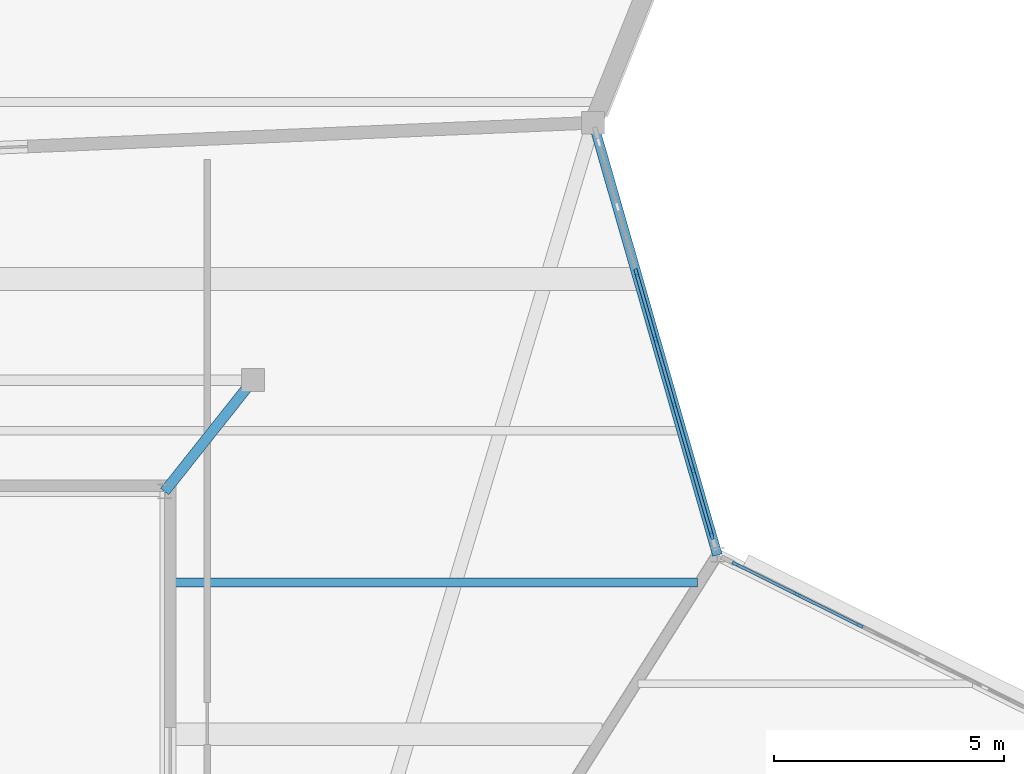
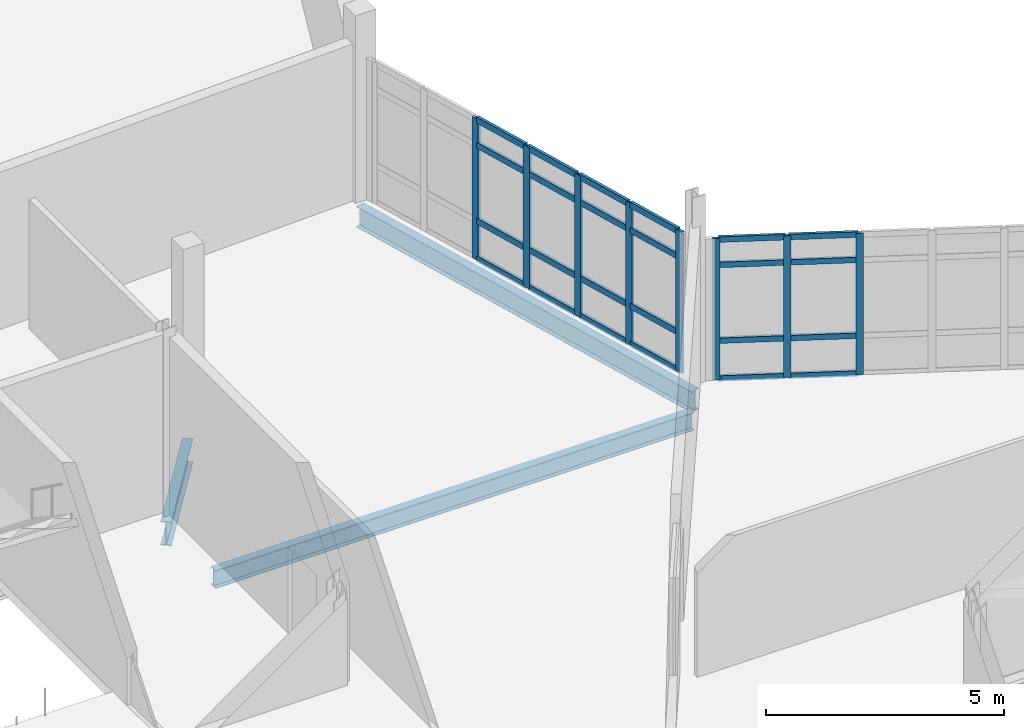
# One storey, part 55 of 134: 32 members, 3 beams, 2 elements without a shape of their own.
"""IFC4 building model written with IfcOpenShell, lengths in metres."""

from ifc_helpers import new_model, si_unit, direction, frame, origin, origin_2d, place, context, subcontext, project, spatial, rectangle, i_section, extrude, material, material_profile, profile_set, type_object, element, aggregate, save


model = new_model("IFC4")

# Units and contexts
model_context = context("Model", 3, precision=1e-05, world=origin(), true_north=direction((0.0, 1.0)))
body_context = subcontext(model_context, "Body", "Model", "MODEL_VIEW")
ifc_project = project(units=[si_unit("LENGTHUNIT", "METRE"), si_unit("AREAUNIT", "SQUARE_METRE"), si_unit("VOLUMEUNIT", "CUBIC_METRE"), si_unit("PLANEANGLEUNIT", "RADIAN"), si_unit("MASSUNIT", "GRAM", prefix="KILO")], contexts=[model_context])

# Site, building, storey
site_placement = place(None, origin())
site = spatial("IfcSite", under=ifc_project, at=site_placement, CompositionType="ELEMENT")
building_placement = place(site_placement, origin())
building = spatial("IfcBuilding", under=site, at=building_placement, Name="Tameran Prism Museum", CompositionType="ELEMENT")
storey_placement = place(building_placement, frame((0.0, 0.0, 5.39990234375)))
storey = spatial("IfcBuildingStorey", under=building, at=storey_placement, Name="L01", CompositionType="ELEMENT", Elevation=5.39990234375)

# Beams
ifc_material_1 = material(Name="Steel Grade 300PLUS (300 MPa)", Category="steel")
ifc_material_profile_1 = material_profile(ifc_material_1, i_section(OverallWidth=0.19091796875, OverallDepth=0.4599609375, WebThickness=0.010009765625, FlangeThickness=0.01611328125, FilletRadius=0.011474609375, at=origin_2d()))
ifc_profile_set_1 = profile_set([ifc_material_profile_1])
beam_type_1 = type_object("IfcBeamType", Name="BM-J460A", PredefinedType="JOIST", material=ifc_profile_set_1)
beam_1_placement = place(storey_placement, frame((48.47998046875, 72.60009765625, -0.489990234375), z_axis=(1.0, 0.0, 0.0), x_axis=(0.0, 1.0, 0.0)))
element("IfcBeam", 1, at=beam_1_placement, inside=storey, type_object=beam_type_1, Name="Floor Beam BM-0619", PredefinedType="JOIST", context=body_context, shape_type="SweptSolid", body=[
    extrude(i_section(OverallWidth=0.19091796875, OverallDepth=0.4599609375, WebThickness=0.010009765625, FlangeThickness=0.01611328125, FilletRadius=0.011474609375, at=origin_2d()), origin(), (0.0, 0.0, 1.0), 11.593017578125),
])
ifc_material_2 = material(Name="Steel Grade 300PLUS (300 MPa)", Category="steel")
ifc_material_profile_2 = material_profile(ifc_material_2, i_section(OverallWidth=0.208984375, OverallDepth=0.532958984375, WebThickness=0.01025390625, FlangeThickness=0.015625, FilletRadius=0.013916015625, at=origin_2d()))
ifc_profile_set_2 = profile_set([ifc_material_profile_2])
beam_type_2 = type_object("IfcBeamType", Name="BM-SP530A", PredefinedType="SPANDREL", material=ifc_profile_set_2)
beam_2_placement = place(storey_placement, frame((60.5, 73.199951171875, -0.5263671875), z_axis=(-0.276062724343, 0.96113962161, 0.0), x_axis=(-0.96113962161, -0.276062724343, 0.0)))
element("IfcBeam", 2, at=beam_2_placement, inside=storey, type_object=beam_type_2, Name="Perimeter Spandrel SP-0410", PredefinedType="SPANDREL", context=body_context, shape_type="SweptSolid", body=[
    extrude(i_section(OverallWidth=0.208984375, OverallDepth=0.532958984375, WebThickness=0.01025390625, FlangeThickness=0.015625, FilletRadius=0.013916015625, at=origin_2d()), origin(), (0.0, 0.0, 1.0), 9.7802734375),
])
ifc_material_3 = material(Name="Steel Grade 300PLUS (300 MPa)", Category="steel")
ifc_material_profile_3 = material_profile(ifc_material_3, i_section(OverallWidth=0.22900390625, OverallDepth=0.612060546875, WebThickness=0.011962890625, FlangeThickness=0.01953125, FilletRadius=0.013916015625, at=origin_2d()))
ifc_profile_set_3 = profile_set([ifc_material_profile_3])
beam_type_3 = type_object("IfcBeamType", Name="BM-UB610A", PredefinedType="BEAM", material=ifc_profile_set_3)
beam_3_placement = place(storey_placement, frame((50.39990234375, 77.0, -0.56591796875), z_axis=(-0.621528541647, -0.783391518922, 0.0), x_axis=(0.783391518922, -0.621528541647, 0.0)))
element("IfcBeam", 3, at=beam_3_placement, inside=storey, type_object=beam_type_3, Name="Frame Tie Girder FG-1325", PredefinedType="BEAM", context=body_context, shape_type="SweptSolid", body=[
    extrude(i_section(OverallWidth=0.22900390625, OverallDepth=0.612060546875, WebThickness=0.011962890625, FlangeThickness=0.01953125, FilletRadius=0.013916015625, at=origin_2d()), origin(), (0.0, 0.0, 1.0), 3.089111328125),
])

# Curtain wall, members
ifc_material_4 = material(Name="Anodised Aluminium 6063-T6 and Cyclone Solar Glass", Category="aluminium")
curtain_wall_type_1 = type_object("IfcCurtainWallType", Name="CW-FAC-1520x362", PredefinedType="USERDEFINED", material=ifc_material_4)
curtain_wall_1_placement = place(storey_placement, origin())
curtain_wall_1 = element("IfcCurtainWall", 4, at=curtain_wall_1_placement, inside=storey, type_object=curtain_wall_type_1, Name="Unitised Curtain Wall CW-071", ObjectType="UNITISED CURTAIN WALL", PredefinedType="USERDEFINED")
ifc_material_5 = material(Name="Anodised Aluminium Alloy 6063-T6", Category="aluminium")
ifc_material_profile_4 = material_profile(ifc_material_5, rectangle(XDim=0.06494140625, YDim=0.159912109375, at=origin_2d()))
ifc_profile_set_4 = profile_set([ifc_material_profile_4])
member_type_1 = type_object("IfcMemberType", Name="CW-MUL-A", PredefinedType="MULLION", material=ifc_profile_set_4)
member_1_placement = place(storey_placement, frame((60.89599609375, 73.00244140625, 0.0), z_axis=(0.0, 0.0, 1.0), x_axis=(0.444633769593, 0.895712459966, 0.0)))
member_1 = element("IfcMember", 5, at=member_1_placement, type_object=member_type_1, Name="CW-071 mullion 1", PredefinedType="MULLION", context=body_context, shape_type="SweptSolid", body=[
    extrude(rectangle(XDim=0.06494140625, YDim=0.159912109375, at=origin_2d()), origin(), (0.0, 0.0, 1.0), 3.6201171875),
])
member_2_placement = place(storey_placement, frame((62.22900390625, 72.3408203125, 0.0), z_axis=(0.0, 0.0, 1.0), x_axis=(0.444633769593, 0.895712459966, 0.0)))
member_2 = element("IfcMember", 6, at=member_2_placement, type_object=member_type_1, Name="CW-071 mullion 2", PredefinedType="MULLION", context=body_context, shape_type="SweptSolid", body=[
    extrude(rectangle(XDim=0.06494140625, YDim=0.159912109375, at=origin_2d()), origin(), (0.0, 0.0, 1.0), 3.6201171875),
])
member_3_placement = place(storey_placement, frame((63.591064453125, 71.664794921875, 0.0), z_axis=(0.0, 0.0, 1.0), x_axis=(0.444633769593, 0.895712459966, 0.0)))
member_3 = element("IfcMember", 7, at=member_3_placement, type_object=member_type_1, Name="CW-071 mullion 3", PredefinedType="MULLION", context=body_context, shape_type="SweptSolid", body=[
    extrude(rectangle(XDim=0.06494140625, YDim=0.159912109375, at=origin_2d()), origin(), (0.0, 0.0, 1.0), 3.6201171875),
])

ifc_material_6 = material(Name="Anodised Aluminium 6063-T6 and Cyclone Solar Glass", Category="aluminium")
curtain_wall_type_2 = type_object("IfcCurtainWallType", Name="CW-FAC-896x362", PredefinedType="USERDEFINED", material=ifc_material_6)
curtain_wall_2_placement = place(storey_placement, origin())
curtain_wall_2 = element("IfcCurtainWall", 8, at=curtain_wall_2_placement, inside=storey, type_object=curtain_wall_type_2, Name="Unitised Curtain Wall CW-092", ObjectType="UNITISED CURTAIN WALL", PredefinedType="USERDEFINED")
ifc_material_7 = material(Name="Anodised Aluminium Alloy 6063-T6", Category="aluminium")
ifc_material_profile_5 = material_profile(ifc_material_7, rectangle(XDim=0.070068359375, YDim=0.179931640625, at=origin_2d()))
ifc_profile_set_5 = profile_set([ifc_material_profile_5])
member_type_2 = type_object("IfcMemberType", Name="CW-MUL-B", PredefinedType="MULLION", material=ifc_profile_set_5)
member_4_placement = place(storey_placement, frame((58.738037109375, 79.33544921875, 0.0), z_axis=(0.0, 0.0, 1.0), x_axis=(0.961186288279, 0.275900197941, 0.0)))
member_4 = element("IfcMember", 9, at=member_4_placement, type_object=member_type_2, Name="CW-092 mullion 3", PredefinedType="MULLION", context=body_context, shape_type="SweptSolid", body=[
    extrude(rectangle(XDim=0.070068359375, YDim=0.179931640625, at=origin_2d()), origin(), (0.0, 0.0, 1.0), 3.6201171875),
])
member_5_placement = place(storey_placement, frame((59.14990234375, 77.89990234375, 0.0), z_axis=(0.0, 0.0, 1.0), x_axis=(0.961186288279, 0.275900197941, 0.0)))
member_5 = element("IfcMember", 10, at=member_5_placement, type_object=member_type_2, Name="CW-092 mullion 4", PredefinedType="MULLION", context=body_context, shape_type="SweptSolid", body=[
    extrude(rectangle(XDim=0.070068359375, YDim=0.179931640625, at=origin_2d()), origin(), (0.0, 0.0, 1.0), 3.6201171875),
])
member_6_placement = place(storey_placement, frame((59.56201171875, 76.464599609375, 0.0), z_axis=(0.0, 0.0, 1.0), x_axis=(0.961186288279, 0.275900197941, 0.0)))
member_6 = element("IfcMember", 11, at=member_6_placement, type_object=member_type_2, Name="CW-092 mullion 5", PredefinedType="MULLION", context=body_context, shape_type="SweptSolid", body=[
    extrude(rectangle(XDim=0.070068359375, YDim=0.179931640625, at=origin_2d()), origin(), (0.0, 0.0, 1.0), 3.6201171875),
])
member_7_placement = place(storey_placement, frame((59.97412109375, 75.029296875, 0.0), z_axis=(0.0, 0.0, 1.0), x_axis=(0.961186288279, 0.275900197941, 0.0)))
member_7 = element("IfcMember", 12, at=member_7_placement, type_object=member_type_2, Name="CW-092 mullion 6", PredefinedType="MULLION", context=body_context, shape_type="SweptSolid", body=[
    extrude(rectangle(XDim=0.070068359375, YDim=0.179931640625, at=origin_2d()), origin(), (0.0, 0.0, 1.0), 3.6201171875),
])
member_8_placement = place(storey_placement, frame((60.37646484375, 73.627685546875, 0.0), z_axis=(0.0, 0.0, 1.0), x_axis=(0.961186288279, 0.275900197941, 0.0)))
member_8 = element("IfcMember", 13, at=member_8_placement, type_object=member_type_2, Name="CW-092 mullion 7", PredefinedType="MULLION", context=body_context, shape_type="SweptSolid", body=[
    extrude(rectangle(XDim=0.070068359375, YDim=0.179931640625, at=origin_2d()), origin(), (0.0, 0.0, 1.0), 3.6201171875),
])

# Member
ifc_material_8 = material(Name="Anodised Aluminium Alloy 6063-T6", Category="aluminium")
ifc_material_profile_6 = material_profile(ifc_material_8, rectangle(XDim=0.06494140625, YDim=0.139892578125, at=origin_2d()))
ifc_profile_set_6 = profile_set([ifc_material_profile_6])
member_type_3 = type_object("IfcMemberType", Name="CW-TRN-A", PredefinedType="USERDEFINED", material=ifc_profile_set_6)
member_9_placement = place(storey_placement, frame((60.92529296875, 72.988037109375, 0.03271484375), z_axis=(0.895761424176, -0.444535117801, 0.0), x_axis=(0.444535117801, 0.895761424176, 0.0)))
member_9 = element("IfcMember", 14, at=member_9_placement, type_object=member_type_3, Name="CW-071 transom 1.1", ObjectType="TRANSOM", PredefinedType="USERDEFINED", context=body_context, shape_type="SweptSolid", body=[
    extrude(rectangle(XDim=0.06494140625, YDim=0.139892578125, at=origin_2d()), origin(), (0.0, 0.0, 1.0), 1.423095703125),
])

member_10_placement = place(storey_placement, frame((60.92529296875, 72.988037109375, 1.0), z_axis=(0.895761424176, -0.444535117801, 0.0), x_axis=(0.444535117801, 0.895761424176, 0.0)))
member_10 = element("IfcMember", 15, at=member_10_placement, type_object=member_type_3, Name="CW-071 transom 1.2", ObjectType="TRANSOM", PredefinedType="USERDEFINED", context=body_context, shape_type="SweptSolid", body=[
    extrude(rectangle(XDim=0.06494140625, YDim=0.139892578125, at=origin_2d()), origin(), (0.0, 0.0, 1.0), 1.423095703125),
])

member_11_placement = place(storey_placement, frame((60.92529296875, 72.988037109375, 2.940185546875), z_axis=(0.895761424176, -0.444535117801, 0.0), x_axis=(0.444535117801, 0.895761424176, 0.0)))
member_11 = element("IfcMember", 16, at=member_11_placement, type_object=member_type_3, Name="CW-071 transom 1.3", ObjectType="TRANSOM", PredefinedType="USERDEFINED", context=body_context, shape_type="SweptSolid", body=[
    extrude(rectangle(XDim=0.06494140625, YDim=0.139892578125, at=origin_2d()), origin(), (0.0, 0.0, 1.0), 1.423095703125),
])

member_12_placement = place(storey_placement, frame((60.92529296875, 72.988037109375, 3.587646484375), z_axis=(0.895761424176, -0.444535117801, 0.0), x_axis=(0.444535117801, 0.895761424176, 0.0)))
member_12 = element("IfcMember", 17, at=member_12_placement, type_object=member_type_3, Name="CW-071 transom 1.4", ObjectType="TRANSOM", PredefinedType="USERDEFINED", context=body_context, shape_type="SweptSolid", body=[
    extrude(rectangle(XDim=0.06494140625, YDim=0.139892578125, at=origin_2d()), origin(), (0.0, 0.0, 1.0), 1.423095703125),
])

member_13_placement = place(storey_placement, frame((62.258056640625, 72.326416015625, 0.03271484375), z_axis=(0.895698333913, -0.444662225319, 0.0), x_axis=(0.444662225319, 0.895698333913, 0.0)))
member_13 = element("IfcMember", 18, at=member_13_placement, type_object=member_type_3, Name="CW-071 transom 2.1", ObjectType="TRANSOM", PredefinedType="USERDEFINED", context=body_context, shape_type="SweptSolid", body=[
    extrude(rectangle(XDim=0.06494140625, YDim=0.139892578125, at=origin_2d()), origin(), (0.0, 0.0, 1.0), 1.45556640625),
])

member_14_placement = place(storey_placement, frame((62.258056640625, 72.326416015625, 1.0), z_axis=(0.895698333913, -0.444662225319, 0.0), x_axis=(0.444662225319, 0.895698333913, 0.0)))
member_14 = element("IfcMember", 19, at=member_14_placement, type_object=member_type_3, Name="CW-071 transom 2.2", ObjectType="TRANSOM", PredefinedType="USERDEFINED", context=body_context, shape_type="SweptSolid", body=[
    extrude(rectangle(XDim=0.06494140625, YDim=0.139892578125, at=origin_2d()), origin(), (0.0, 0.0, 1.0), 1.45556640625),
])

member_15_placement = place(storey_placement, frame((62.258056640625, 72.326416015625, 2.940185546875), z_axis=(0.895698333913, -0.444662225319, 0.0), x_axis=(0.444662225319, 0.895698333913, 0.0)))
member_15 = element("IfcMember", 20, at=member_15_placement, type_object=member_type_3, Name="CW-071 transom 2.3", ObjectType="TRANSOM", PredefinedType="USERDEFINED", context=body_context, shape_type="SweptSolid", body=[
    extrude(rectangle(XDim=0.06494140625, YDim=0.139892578125, at=origin_2d()), origin(), (0.0, 0.0, 1.0), 1.45556640625),
])

member_16_placement = place(storey_placement, frame((62.258056640625, 72.326416015625, 3.587646484375), z_axis=(0.895698333913, -0.444662225319, 0.0), x_axis=(0.444662225319, 0.895698333913, 0.0)))
member_16 = element("IfcMember", 21, at=member_16_placement, type_object=member_type_3, Name="CW-071 transom 2.4", ObjectType="TRANSOM", PredefinedType="USERDEFINED", context=body_context, shape_type="SweptSolid", body=[
    extrude(rectangle(XDim=0.06494140625, YDim=0.139892578125, at=origin_2d()), origin(), (0.0, 0.0, 1.0), 1.45556640625),
])

aggregate(curtain_wall_1, [member_1, member_2, member_3, member_9, member_10, member_11, member_12, member_13, member_14, member_15, member_16])

ifc_material_9 = material(Name="Anodised Aluminium Alloy 6063-T6", Category="aluminium")
ifc_material_profile_7 = material_profile(ifc_material_9, rectangle(XDim=0.070068359375, YDim=0.155029296875, at=origin_2d()))
ifc_profile_set_7 = profile_set([ifc_material_profile_7])
member_type_4 = type_object("IfcMemberType", Name="CW-TRN-B", PredefinedType="USERDEFINED", material=ifc_profile_set_7)
member_17_placement = place(storey_placement, frame((58.74755859375, 79.3017578125, 0.03515625), z_axis=(0.275966804368, -0.961167166984, 0.0), x_axis=(0.961167166984, 0.275966804368, 0.0)))
member_17 = element("IfcMember", 22, at=member_17_placement, type_object=member_type_4, Name="CW-092 transom 3.1", ObjectType="TRANSOM", PredefinedType="USERDEFINED", context=body_context, shape_type="SweptSolid", body=[
    extrude(rectangle(XDim=0.070068359375, YDim=0.155029296875, at=origin_2d()), origin(), (0.0, 0.0, 1.0), 1.42333984375),
])

member_18_placement = place(storey_placement, frame((58.74755859375, 79.3017578125, 1.0), z_axis=(0.275966804368, -0.961167166984, 0.0), x_axis=(0.961167166984, 0.275966804368, 0.0)))
member_18 = element("IfcMember", 23, at=member_18_placement, type_object=member_type_4, Name="CW-092 transom 3.2", ObjectType="TRANSOM", PredefinedType="USERDEFINED", context=body_context, shape_type="SweptSolid", body=[
    extrude(rectangle(XDim=0.070068359375, YDim=0.155029296875, at=origin_2d()), origin(), (0.0, 0.0, 1.0), 1.42333984375),
])

member_19_placement = place(storey_placement, frame((58.74755859375, 79.3017578125, 2.940185546875), z_axis=(0.275966804368, -0.961167166984, 0.0), x_axis=(0.961167166984, 0.275966804368, 0.0)))
member_19 = element("IfcMember", 24, at=member_19_placement, type_object=member_type_4, Name="CW-092 transom 3.3", ObjectType="TRANSOM", PredefinedType="USERDEFINED", context=body_context, shape_type="SweptSolid", body=[
    extrude(rectangle(XDim=0.070068359375, YDim=0.155029296875, at=origin_2d()), origin(), (0.0, 0.0, 1.0), 1.42333984375),
])

member_20_placement = place(storey_placement, frame((58.74755859375, 79.3017578125, 3.585205078125), z_axis=(0.275966804368, -0.961167166984, 0.0), x_axis=(0.961167166984, 0.275966804368, 0.0)))
member_20 = element("IfcMember", 25, at=member_20_placement, type_object=member_type_4, Name="CW-092 transom 3.4", ObjectType="TRANSOM", PredefinedType="USERDEFINED", context=body_context, shape_type="SweptSolid", body=[
    extrude(rectangle(XDim=0.070068359375, YDim=0.155029296875, at=origin_2d()), origin(), (0.0, 0.0, 1.0), 1.42333984375),
])

member_21_placement = place(storey_placement, frame((59.15966796875, 77.866455078125, 0.03515625), z_axis=(0.27580834078, -0.961212650331, 0.0), x_axis=(0.961212650331, 0.27580834078, 0.0)))
member_21 = element("IfcMember", 26, at=member_21_placement, type_object=member_type_4, Name="CW-092 transom 4.1", ObjectType="TRANSOM", PredefinedType="USERDEFINED", context=body_context, shape_type="SweptSolid", body=[
    extrude(rectangle(XDim=0.070068359375, YDim=0.155029296875, at=origin_2d()), origin(), (0.0, 0.0, 1.0), 1.42333984375),
])

member_22_placement = place(storey_placement, frame((59.15966796875, 77.866455078125, 1.0), z_axis=(0.27580834078, -0.961212650331, 0.0), x_axis=(0.961212650331, 0.27580834078, 0.0)))
member_22 = element("IfcMember", 27, at=member_22_placement, type_object=member_type_4, Name="CW-092 transom 4.2", ObjectType="TRANSOM", PredefinedType="USERDEFINED", context=body_context, shape_type="SweptSolid", body=[
    extrude(rectangle(XDim=0.070068359375, YDim=0.155029296875, at=origin_2d()), origin(), (0.0, 0.0, 1.0), 1.42333984375),
])

member_23_placement = place(storey_placement, frame((59.15966796875, 77.866455078125, 2.940185546875), z_axis=(0.27580834078, -0.961212650331, 0.0), x_axis=(0.961212650331, 0.27580834078, 0.0)))
member_23 = element("IfcMember", 28, at=member_23_placement, type_object=member_type_4, Name="CW-092 transom 4.3", ObjectType="TRANSOM", PredefinedType="USERDEFINED", context=body_context, shape_type="SweptSolid", body=[
    extrude(rectangle(XDim=0.070068359375, YDim=0.155029296875, at=origin_2d()), origin(), (0.0, 0.0, 1.0), 1.42333984375),
])

member_24_placement = place(storey_placement, frame((59.15966796875, 77.866455078125, 3.585205078125), z_axis=(0.27580834078, -0.961212650331, 0.0), x_axis=(0.961212650331, 0.27580834078, 0.0)))
member_24 = element("IfcMember", 29, at=member_24_placement, type_object=member_type_4, Name="CW-092 transom 4.4", ObjectType="TRANSOM", PredefinedType="USERDEFINED", context=body_context, shape_type="SweptSolid", body=[
    extrude(rectangle(XDim=0.070068359375, YDim=0.155029296875, at=origin_2d()), origin(), (0.0, 0.0, 1.0), 1.42333984375),
])

member_25_placement = place(storey_placement, frame((59.57177734375, 76.430908203125, 0.03515625), z_axis=(0.275853820406, -0.961199599338, 0.0), x_axis=(0.961199599338, 0.275853820406, 0.0)))
member_25 = element("IfcMember", 30, at=member_25_placement, type_object=member_type_4, Name="CW-092 transom 5.1", ObjectType="TRANSOM", PredefinedType="USERDEFINED", context=body_context, shape_type="SweptSolid", body=[
    extrude(rectangle(XDim=0.070068359375, YDim=0.155029296875, at=origin_2d()), origin(), (0.0, 0.0, 1.0), 1.423095703125),
])

member_26_placement = place(storey_placement, frame((59.57177734375, 76.430908203125, 1.0), z_axis=(0.275853820406, -0.961199599338, 0.0), x_axis=(0.961199599338, 0.275853820406, 0.0)))
member_26 = element("IfcMember", 31, at=member_26_placement, type_object=member_type_4, Name="CW-092 transom 5.2", ObjectType="TRANSOM", PredefinedType="USERDEFINED", context=body_context, shape_type="SweptSolid", body=[
    extrude(rectangle(XDim=0.070068359375, YDim=0.155029296875, at=origin_2d()), origin(), (0.0, 0.0, 1.0), 1.423095703125),
])

member_27_placement = place(storey_placement, frame((59.57177734375, 76.430908203125, 2.940185546875), z_axis=(0.275853820406, -0.961199599338, 0.0), x_axis=(0.961199599338, 0.275853820406, 0.0)))
member_27 = element("IfcMember", 32, at=member_27_placement, type_object=member_type_4, Name="CW-092 transom 5.3", ObjectType="TRANSOM", PredefinedType="USERDEFINED", context=body_context, shape_type="SweptSolid", body=[
    extrude(rectangle(XDim=0.070068359375, YDim=0.155029296875, at=origin_2d()), origin(), (0.0, 0.0, 1.0), 1.423095703125),
])

member_28_placement = place(storey_placement, frame((59.57177734375, 76.430908203125, 3.585205078125), z_axis=(0.275853820406, -0.961199599338, 0.0), x_axis=(0.961199599338, 0.275853820406, 0.0)))
member_28 = element("IfcMember", 33, at=member_28_placement, type_object=member_type_4, Name="CW-092 transom 5.4", ObjectType="TRANSOM", PredefinedType="USERDEFINED", context=body_context, shape_type="SweptSolid", body=[
    extrude(rectangle(XDim=0.070068359375, YDim=0.155029296875, at=origin_2d()), origin(), (0.0, 0.0, 1.0), 1.423095703125),
])

member_29_placement = place(storey_placement, frame((59.983642578125, 74.99560546875, 0.03515625), z_axis=(0.275952046312, -0.96117140414, 0.0), x_axis=(0.96117140414, 0.275952046312, 0.0)))
member_29 = element("IfcMember", 34, at=member_29_placement, type_object=member_type_4, Name="CW-092 transom 6.1", ObjectType="TRANSOM", PredefinedType="USERDEFINED", context=body_context, shape_type="SweptSolid", body=[
    extrude(rectangle(XDim=0.070068359375, YDim=0.155029296875, at=origin_2d()), origin(), (0.0, 0.0, 1.0), 1.38818359375),
])

member_30_placement = place(storey_placement, frame((59.983642578125, 74.99560546875, 1.0), z_axis=(0.275952046312, -0.96117140414, 0.0), x_axis=(0.96117140414, 0.275952046312, 0.0)))
member_30 = element("IfcMember", 35, at=member_30_placement, type_object=member_type_4, Name="CW-092 transom 6.2", ObjectType="TRANSOM", PredefinedType="USERDEFINED", context=body_context, shape_type="SweptSolid", body=[
    extrude(rectangle(XDim=0.070068359375, YDim=0.155029296875, at=origin_2d()), origin(), (0.0, 0.0, 1.0), 1.38818359375),
])

member_31_placement = place(storey_placement, frame((59.983642578125, 74.99560546875, 2.940185546875), z_axis=(0.275952046312, -0.96117140414, 0.0), x_axis=(0.96117140414, 0.275952046312, 0.0)))
member_31 = element("IfcMember", 36, at=member_31_placement, type_object=member_type_4, Name="CW-092 transom 6.3", ObjectType="TRANSOM", PredefinedType="USERDEFINED", context=body_context, shape_type="SweptSolid", body=[
    extrude(rectangle(XDim=0.070068359375, YDim=0.155029296875, at=origin_2d()), origin(), (0.0, 0.0, 1.0), 1.38818359375),
])

member_32_placement = place(storey_placement, frame((59.983642578125, 74.99560546875, 3.585205078125), z_axis=(0.275952046312, -0.96117140414, 0.0), x_axis=(0.96117140414, 0.275952046312, 0.0)))
member_32 = element("IfcMember", 37, at=member_32_placement, type_object=member_type_4, Name="CW-092 transom 6.4", ObjectType="TRANSOM", PredefinedType="USERDEFINED", context=body_context, shape_type="SweptSolid", body=[
    extrude(rectangle(XDim=0.070068359375, YDim=0.155029296875, at=origin_2d()), origin(), (0.0, 0.0, 1.0), 1.38818359375),
])

aggregate(curtain_wall_2, [member_4, member_5, member_6, member_7, member_8, member_17, member_18, member_19, member_20, member_21, member_22, member_23, member_24, member_25, member_26, member_27, member_28, member_29, member_30, member_31, member_32])

save(model, "model.ifc")
